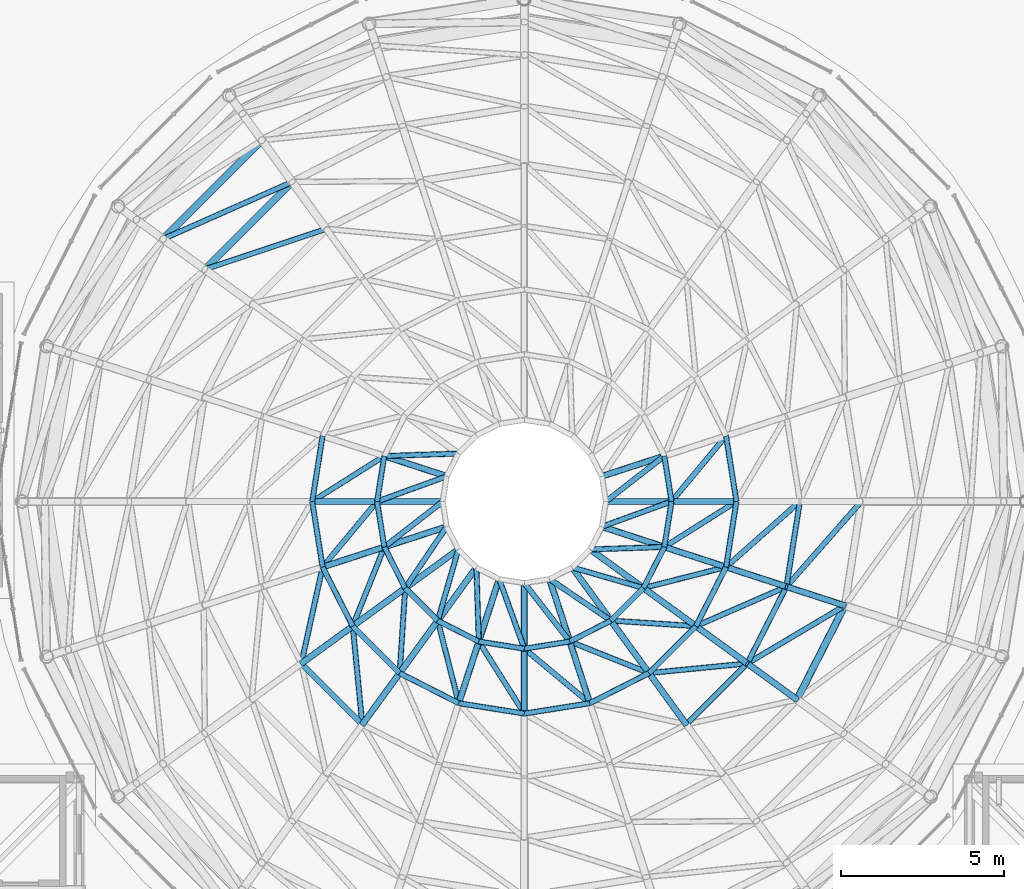
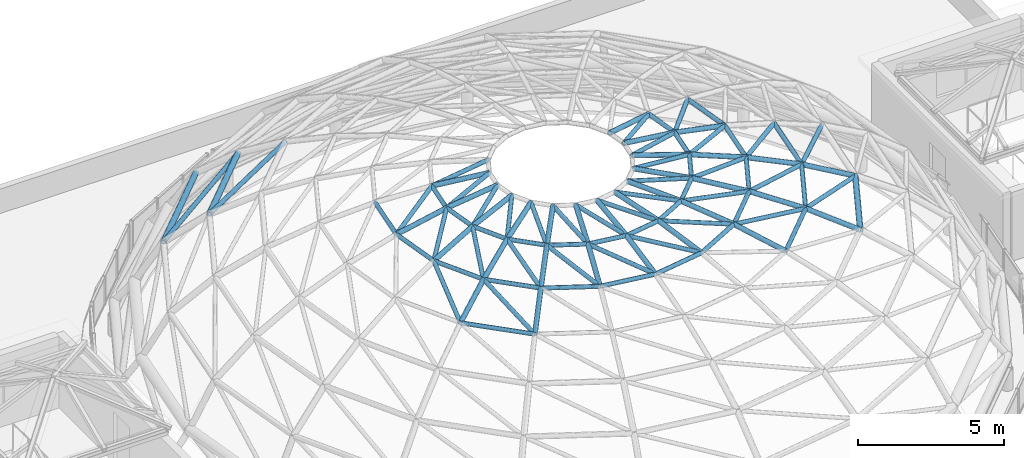
# One storey, part 25 of 69: 96 members.
"""IFC4 building model written with IfcOpenShell, lengths in metres."""

import ifcopenshell
import ifcopenshell.guid

model = None  # the IFC model being written
_history = None  # IfcOwnerHistory: only IFC2X3 demands one
_inside = {}  # id of a spatial element -> (the spatial element, [elements in it])
_under = {}  # id of a project, library or spatial element -> (it, [spatial elements below it])
_declared = {}  # id of a project -> (the project, [libraries it declares])
_typed = {}  # id of a type object -> (the type object, [elements of that type])
_made_of = {}  # id of a material, layer set ... -> (it, [elements and type objects made of it])


def new_model(schema):
    """Start an empty IFC model of exactly this schema.

    Asked for "IFC4X3", IfcOpenShell would pick the latest addendum, in which some entities
    have other attributes; the version numbers below select the first issue.
    IFC2X3 requires an IfcOwnerHistory on every rooted entity: one is made here for all.
    """
    global model, _history
    if schema == "IFC4X3":
        model = ifcopenshell.file(schema_version=(4, 3, 0, 0))
    else:
        model = ifcopenshell.file(schema=schema)
    _inside.clear()
    _under.clear()
    _declared.clear()
    _typed.clear()
    _made_of.clear()
    _history = None
    if model.schema == "IFC2X3":
        org = make("IfcOrganization", Name="unknown")
        user = make(
            "IfcPersonAndOrganization",
            ThePerson=make("IfcPerson", FamilyName="unknown"),
            TheOrganization=org,
        )
        app = make(
            "IfcApplication",
            ApplicationDeveloper=org,
            Version="unknown",
            ApplicationFullName="unknown",
            ApplicationIdentifier="unknown",
        )
        _history = make(
            "IfcOwnerHistory",
            OwningUser=user,
            OwningApplication=app,
            ChangeAction="ADDED",
            CreationDate=0,
        )
    return model


def make(cls, **values):
    """One entity of the class cls with the attributes given. An attribute that is None is left unset."""
    return model.create_entity(
        cls, **{name: value for name, value in values.items() if value is not None}
    )


def rooted(cls, **values):
    """An entity with a GlobalId (a new one), such as an element, a storey or a relation."""
    return make(cls, GlobalId=ifcopenshell.guid.new(), OwnerHistory=_history, **values)


def si_unit(unit_type, name, prefix=None):
    """IfcSIUnit, for example si_unit("LENGTHUNIT", "METRE", prefix="MILLI")."""
    return make("IfcSIUnit", UnitType=unit_type, Prefix=prefix, Name=name)


def assignment(units):
    """IfcUnitAssignment: the units of a project."""
    return None if units is None else make("IfcUnitAssignment", Units=units)


def point(xyz):
    """IfcCartesianPoint."""
    return None if xyz is None else make("IfcCartesianPoint", Coordinates=xyz)


def direction(xyz):
    """IfcDirection."""
    return None if xyz is None else make("IfcDirection", DirectionRatios=xyz)


def frame(location, z_axis=None, x_axis=None):
    """IfcAxis2Placement3D, a coordinate frame: its origin and axes. An axis left out is left unset."""
    return make(
        "IfcAxis2Placement3D",
        Location=point(location),
        Axis=direction(z_axis),
        RefDirection=direction(x_axis),
    )


def frame_2d(location, x_axis=None):
    """IfcAxis2Placement2D, a coordinate frame in the plane: its origin and x axis."""
    return make(
        "IfcAxis2Placement2D", Location=point(location), RefDirection=direction(x_axis)
    )


def origin():
    """The frame at (0, 0, 0) with its axes left unset."""
    return frame((0.0, 0.0, 0.0))


def origin_2d():
    """The frame at (0, 0) in the plane with its x axis left unset."""
    return frame_2d((0.0, 0.0))


def place(relative_to, where):
    """IfcLocalPlacement: puts the frame where relative to a parent placement (None: the world)."""
    return make(
        "IfcLocalPlacement", PlacementRelTo=relative_to, RelativePlacement=where
    )


def context(
    kind, dimensions, precision=None, world=None, true_north=None, identifier=None
):
    """IfcGeometricRepresentationContext, for example the 3D "Model" context."""
    return make(
        "IfcGeometricRepresentationContext",
        ContextIdentifier=identifier,
        ContextType=kind,
        CoordinateSpaceDimension=dimensions,
        Precision=precision,
        WorldCoordinateSystem=world,
        TrueNorth=true_north,
    )


def subcontext(parent, identifier, kind, view, scale=None):
    """IfcGeometricRepresentationSubContext, for example "Body" below "Model"."""
    return make(
        "IfcGeometricRepresentationSubContext",
        ContextIdentifier=identifier,
        ContextType=kind,
        ParentContext=parent,
        TargetScale=scale,
        TargetView=view,
    )


def project(units=None, contexts=None):
    """IfcProject with its units and contexts."""
    return rooted(
        "IfcProject",
        Name="project",
        RepresentationContexts=contexts,
        UnitsInContext=assignment(units),
    )


def spatial(cls, under=None, at=None, **own):
    """A site, building, storey or space (cls), placed at a placement, below another one or the project."""
    s = rooted(cls, ObjectPlacement=at, **own)
    if under is not None:
        _under.setdefault(under.id(), (under, []))[1].append(s)
    return s


def profile(cls, at=None, kind="AREA", **sizes):
    """A parametric profile (cls). Its sizes go by their IFC names, for example OverallWidth=200.0."""
    return make(cls, ProfileType=kind, Position=at, **sizes)


def hollow_circle(**sizes):
    """IfcCircleHollowProfileDef."""
    return profile("IfcCircleHollowProfileDef", **sizes)


def extrude(swept, where, along, depth):
    """IfcExtrudedAreaSolid: the profile swept, set in the frame where, extruded along a direction by depth."""
    return make(
        "IfcExtrudedAreaSolid",
        SweptArea=swept,
        Position=where,
        ExtrudedDirection=direction(along),
        Depth=depth,
    )


def shape(context_of_items, identifier, shape_type, items):
    """IfcShapeRepresentation: the items that make up one representation, for example the "Body"."""
    return make(
        "IfcShapeRepresentation",
        ContextOfItems=context_of_items,
        RepresentationIdentifier=identifier,
        RepresentationType=shape_type,
        Items=items,
    )


def material(Name=None, Category=None):
    """IfcMaterial."""
    return make("IfcMaterial", Name=Name, Category=Category)


def material_profile(
    of_material, cross_section, Name=None, Category=None, Priority=None
):
    """IfcMaterialProfile: a cross section and its material."""
    return make(
        "IfcMaterialProfile",
        Name=Name,
        Material=of_material,
        Profile=cross_section,
        Priority=Priority,
        Category=Category,
    )


def profile_set(profiles, Name=None, composite=None):
    """IfcMaterialProfileSet."""
    return make(
        "IfcMaterialProfileSet",
        Name=Name,
        MaterialProfiles=profiles,
        CompositeProfile=composite,
    )


def made_of(thing, what):
    """Note that an element or type object is made of a material, layer set ...; save() writes the relation."""
    if what is not None:
        _made_of.setdefault(what.id(), (what, []))[1].append(thing)
    return thing


def type_object(cls, material=None, **own):
    """A type object (cls), such as IfcWallType, which elements share."""
    return made_of(rooted(cls, **own), material)


def element(
    cls,
    number,
    at=None,
    inside=None,
    cuts=None,
    type_object=None,
    material=None,
    context=None,
    identifier="Body",
    shape_type=None,
    held_by="IfcProductDefinitionShape",
    body=None,
    shapes=None,
    **own,
):
    """One element of the class cls, such as IfcWall. Its Tag is "e" and its number.

    at: its placement. inside: the storey or other place that contains it. cuts: it is an
    opening in that element (IfcRelVoidsElement). A single representation is given by context,
    identifier, shape_type and body (its items); several are given by shapes. held_by: the class
    of the entity that holds the representations. save() writes the other relations.
    """
    e = rooted(cls, Tag="e%d" % number, ObjectPlacement=at, **own)
    if body is not None:
        shapes = [shape(context, identifier, shape_type, body)]
    if shapes is not None:
        e.Representation = make(held_by, Representations=shapes)
    if inside is not None:
        _inside.setdefault(inside.id(), (inside, []))[1].append(e)
    if cuts is not None:
        rooted(
            "IfcRelVoidsElement", RelatingBuildingElement=cuts, RelatedOpeningElement=e
        )
    if type_object is not None:
        _typed.setdefault(type_object.id(), (type_object, []))[1].append(e)
    return made_of(e, material)


def aggregate(whole, parts):
    """IfcRelAggregates: a whole, such as a stair, and the parts it consists of."""
    return rooted("IfcRelAggregates", RelatingObject=whole, RelatedObjects=parts)


def save(model, path):
    """Write the relations noted so far, then the file.

    IfcRelAggregates (storeys below a building ...), IfcRelContainedInSpatialStructure (elements
    in a storey), IfcRelDefinesByType, IfcRelAssociatesMaterial and IfcRelDeclares: one each for
    every whole, place, type object, material and project.
    """
    for whole, parts in _under.values():
        aggregate(whole, parts)
    for where, things in _inside.values():
        rooted(
            "IfcRelContainedInSpatialStructure",
            RelatedElements=things,
            RelatingStructure=where,
        )
    for kind, things in _typed.values():
        rooted("IfcRelDefinesByType", RelatedObjects=things, RelatingType=kind)
    for what, things in _made_of.values():
        rooted("IfcRelAssociatesMaterial", RelatedObjects=things, RelatingMaterial=what)
    for by, libraries in _declared.values():
        rooted("IfcRelDeclares", RelatingContext=by, RelatedDefinitions=libraries)
    model.write(path)


model = new_model("IFC4")

# Units and contexts
model_context = context("Model", 3, precision=1e-05, world=origin(), true_north=direction((0.0, 1.0)))
body_context = subcontext(model_context, "Body", "Model", "MODEL_VIEW")
ifc_project = project(units=[si_unit("LENGTHUNIT", "METRE"), si_unit("AREAUNIT", "SQUARE_METRE"), si_unit("VOLUMEUNIT", "CUBIC_METRE"), si_unit("PLANEANGLEUNIT", "RADIAN"), si_unit("MASSUNIT", "GRAM", prefix="KILO")], contexts=[model_context])

# Site, building, storey
site_placement = place(None, origin())
site = spatial("IfcSite", under=ifc_project, at=site_placement, CompositionType="ELEMENT")
building_placement = place(site_placement, origin())
building = spatial("IfcBuilding", under=site, at=building_placement, Name="Kallimachos Central Library", CompositionType="ELEMENT")
storey_placement = place(building_placement, frame((0.0, 0.0, 23.39990234375)))
storey = spatial("IfcBuildingStorey", under=building, at=storey_placement, Name="L05", CompositionType="ELEMENT", Elevation=23.39990234375)

# Members
ifc_material_1 = material(Name="Steel S355J2H", Category="steel")
ifc_material_profile_1 = material_profile(ifc_material_1, hollow_circle(Radius=0.084228515625, WallThickness=0.008056640625, at=origin_2d()), Name="CHS 168.3x8")
ifc_profile_set_1 = profile_set([ifc_material_profile_1], Name="Steel S355J2H")
member_type_1 = type_object("IfcMemberType", Name="CHS 168.3x8 dome diagonal", PredefinedType="BRACE", material=ifc_profile_set_1)
for number, where, z_axis, x_axis, name in (
    (1, (90.5, 104.39990234375, 8.245849609375), (0.784427697726, 0.610157890663, -0.111267854755), (-0.613970368515, 0.789329073698, 0.0), "Dome diagonal DD-0-00"),
    (2, (85.9775390625, 105.869384765625, 8.245849609375), (-0.993257150384, -0.032567558683, -0.111263593926), (0.032771036339, -0.999462885343, 0.0), "Dome diagonal DD-0-08"),
    (3, (85.622314453125, 105.172607421875, 8.245849609375), (-0.934558069173, -0.337965755134, -0.111267082733), (0.34007745266, -0.940397429916, 0.0), "Dome diagonal DD-0-09"),
    (4, (85.5, 104.39990234375, 8.245849609375), (-0.784427697726, -0.610157890663, -0.111267854755), (0.613970368515, -0.789329073698, 0.0), "Dome diagonal DD-0-10"),
):
    element("IfcMember", number, at=place(storey_placement, frame(where, z_axis=z_axis, x_axis=x_axis)), inside=storey, type_object=member_type_1, Name=name, PredefinedType="BRACE", context=body_context, shape_type="SweptSolid", body=[
        extrude(hollow_circle(Radius=0.084228515625, WallThickness=0.008056640625, at=origin_2d()), origin(), (0.0, 0.0, 1.0), 2.286376953125),
    ])
for number, where, z_axis, x_axis, name in (
    (5, (85.622314453125, 103.62744140625, 8.245849609375), (-0.557449997984, -0.822719307369, -0.111276417222), (0.827860741226, -0.560933679803, 0.0), "Dome diagonal DD-0-11"),
    (6, (85.9775390625, 102.930419921875, 8.245849609375), (-0.276046075721, -0.95468159263, -0.11127273149), (0.960647301727, -0.277771059839, 0.0), "Dome diagonal DD-0-12"),
    (7, (86.530517578125, 102.37744140625, 8.245849609375), (0.032571013126, -0.993255715022, -0.111275395662), (0.999462769933, 0.032774555943, 0.0), "Dome diagonal DD-0-13"),
):
    element("IfcMember", number, at=place(storey_placement, frame(where, z_axis=z_axis, x_axis=x_axis)), inside=storey, type_object=member_type_1, Name=name, PredefinedType="BRACE", context=body_context, shape_type="SweptSolid", body=[
        extrude(hollow_circle(Radius=0.084228515625, WallThickness=0.008056640625, at=origin_2d()), origin(), (0.0, 0.0, 1.0), 2.2861328125),
    ])
member_1_placement = place(storey_placement, frame((87.2275390625, 102.0224609375, 8.245849609375), z_axis=(0.337871164542, -0.93459179269, -0.111271097804), x_axis=(0.940431789554, 0.339982424834, 0.0)))
element("IfcMember", 8, at=member_1_placement, inside=storey, type_object=member_type_1, Name="Dome diagonal DD-0-14", PredefinedType="BRACE", context=body_context, shape_type="SweptSolid", body=[
    extrude(hollow_circle(Radius=0.084228515625, WallThickness=0.008056640625, at=origin_2d()), origin(), (0.0, 0.0, 1.0), 2.286376953125),
])
member_2_placement = place(storey_placement, frame((88.0, 101.89990234375, 8.245849609375), z_axis=(0.610209002578, -0.784386616019, -0.111277175479), x_axis=(0.789288564164, 0.614022444606, 0.0)))
element("IfcMember", 9, at=member_2_placement, inside=storey, type_object=member_type_1, Name="Dome diagonal DD-0-15", PredefinedType="BRACE", context=body_context, shape_type="SweptSolid", body=[
    extrude(hollow_circle(Radius=0.084228515625, WallThickness=0.008056640625, at=origin_2d()), origin(), (0.0, 0.0, 1.0), 2.2861328125),
])
member_3_placement = place(storey_placement, frame((88.7724609375, 102.0224609375, 8.245849609375), z_axis=(0.822704839711, -0.557474622729, -0.111260018557), x_axis=(0.560957422053, 0.82784465369, 0.0)))
element("IfcMember", 10, at=member_3_placement, inside=storey, type_object=member_type_1, Name="Dome diagonal DD-0-16", PredefinedType="BRACE", context=body_context, shape_type="SweptSolid", body=[
    extrude(hollow_circle(Radius=0.084228515625, WallThickness=0.008056640625, at=origin_2d()), origin(), (0.0, 0.0, 1.0), 2.286376953125),
])
member_4_placement = place(storey_placement, frame((89.469482421875, 102.37744140625, 8.245849609375), z_axis=(0.954709730832, -0.275947421082, -0.111276011133), x_axis=(0.277671891321, 0.960675970747, 0.0)))
element("IfcMember", 11, at=member_4_placement, inside=storey, type_object=member_type_1, Name="Dome diagonal DD-0-17", PredefinedType="BRACE", context=body_context, shape_type="SweptSolid", body=[
    extrude(hollow_circle(Radius=0.084228515625, WallThickness=0.008056640625, at=origin_2d()), origin(), (0.0, 0.0, 1.0), 2.2861328125),
])
for number, where, z_axis, x_axis, name in (
    (12, (90.0224609375, 102.930419921875, 8.245849609375), (0.993257150384, 0.032567558683, -0.111263593926), (-0.032771036339, 0.999462885343, 0.0), "Dome diagonal DD-0-18"),
    (13, (90.377685546875, 103.62744140625, 8.245849609375), (0.93459179269, 0.337871164542, -0.111271097804), (-0.339982424834, 0.940431789554, 0.0), "Dome diagonal DD-0-19"),
):
    element("IfcMember", number, at=place(storey_placement, frame(where, z_axis=z_axis, x_axis=x_axis)), inside=storey, type_object=member_type_1, Name=name, PredefinedType="BRACE", context=body_context, shape_type="SweptSolid", body=[
        extrude(hollow_circle(Radius=0.084228515625, WallThickness=0.008056640625, at=origin_2d()), origin(), (0.0, 0.0, 1.0), 2.286376953125),
    ])
for number, where, z_axis, x_axis, name in (
    (14, (92.514404296875, 104.39990234375, 7.991455078125), (0.631515550193, 0.759812336918, -0.154509943149), (-0.769047650583, 0.63919145108, 0.0), "Dome diagonal DD-1-00"),
    (15, (83.70654296875, 105.794921875, 7.991455078125), (-0.835435772403, -0.527420174954, -0.154515466026), (0.533831291368, -0.845591007731, 0.0), "Dome diagonal DD-1-09"),
):
    element("IfcMember", number, at=place(storey_placement, frame(where, z_axis=z_axis, x_axis=x_axis)), inside=storey, type_object=member_type_1, Name=name, PredefinedType="BRACE", context=body_context, shape_type="SweptSolid", body=[
        extrude(hollow_circle(Radius=0.084228515625, WallThickness=0.008056640625, at=origin_2d()), origin(), (0.0, 0.0, 1.0), 2.64501953125),
    ])
for number, where, z_axis, x_axis, name in (
    (16, (83.485595703125, 104.39990234375, 7.991455078125), (-0.631559840703, -0.759773319033, -0.1545207795), (0.769009477555, -0.639237376434, 0.0), "Dome diagonal DD-1-10"),
    (17, (83.70654296875, 103.0048828125, 7.991455078125), (-0.365831129807, -0.917762576971, -0.154529727806), (0.928920642411, -0.370278868022, 0.0), "Dome diagonal DD-1-11"),
):
    element("IfcMember", number, at=place(storey_placement, frame(where, z_axis=z_axis, x_axis=x_axis)), inside=storey, type_object=member_type_1, Name=name, PredefinedType="BRACE", context=body_context, shape_type="SweptSolid", body=[
        extrude(hollow_circle(Radius=0.084228515625, WallThickness=0.008056640625, at=origin_2d()), origin(), (0.0, 0.0, 1.0), 2.644775390625),
    ])
member_5_placement = place(storey_placement, frame((84.347900390625, 101.74658203125, 7.991455078125), z_axis=(-0.064427439859, -0.985887514522, -0.154515092155), x_axis=(0.997871524197, -0.065210591133, 0.0)))
element("IfcMember", 18, at=member_5_placement, inside=storey, type_object=member_type_1, Name="Dome diagonal DD-1-12", PredefinedType="BRACE", context=body_context, shape_type="SweptSolid", body=[
    extrude(hollow_circle(Radius=0.084228515625, WallThickness=0.008056640625, at=origin_2d()), origin(), (0.0, 0.0, 1.0), 2.64501953125),
])
member_6_placement = place(storey_placement, frame((85.346435546875, 100.747802734375, 7.991455078125), z_axis=(0.243508379204, -0.957510393284, -0.154523512808), x_axis=(0.969150755166, 0.246468687181, 0.0)))
element("IfcMember", 19, at=member_6_placement, inside=storey, type_object=member_type_1, Name="Dome diagonal DD-1-13", PredefinedType="BRACE", context=body_context, shape_type="SweptSolid", body=[
    extrude(hollow_circle(Radius=0.084228515625, WallThickness=0.008056640625, at=origin_2d()), origin(), (0.0, 0.0, 1.0), 2.644775390625),
])
member_7_placement = place(storey_placement, frame((86.60498046875, 100.106689453125, 7.991455078125), z_axis=(0.527420174954, -0.835435772403, -0.154515466026), x_axis=(0.845591007731, 0.533831291368, 0.0)))
element("IfcMember", 20, at=member_7_placement, inside=storey, type_object=member_type_1, Name="Dome diagonal DD-1-14", PredefinedType="BRACE", context=body_context, shape_type="SweptSolid", body=[
    extrude(hollow_circle(Radius=0.084228515625, WallThickness=0.008056640625, at=origin_2d()), origin(), (0.0, 0.0, 1.0), 2.64501953125),
])
member_8_placement = place(storey_placement, frame((88.0, 99.8857421875, 7.991455078125), z_axis=(0.759773319033, -0.631559840703, -0.1545207795), x_axis=(0.639237376434, 0.769009477555, 0.0)))
element("IfcMember", 21, at=member_8_placement, inside=storey, type_object=member_type_1, Name="Dome diagonal DD-1-15", PredefinedType="BRACE", context=body_context, shape_type="SweptSolid", body=[
    extrude(hollow_circle(Radius=0.084228515625, WallThickness=0.008056640625, at=origin_2d()), origin(), (0.0, 0.0, 1.0), 2.644775390625),
])
member_9_placement = place(storey_placement, frame((89.39501953125, 100.106689453125, 7.991455078125), z_axis=(0.917746142901, -0.365880087545, -0.154511419412), x_axis=(0.370327347691, 0.928901316369, 0.0)))
element("IfcMember", 22, at=member_9_placement, inside=storey, type_object=member_type_1, Name="Dome diagonal DD-1-16", PredefinedType="BRACE", context=body_context, shape_type="SweptSolid", body=[
    extrude(hollow_circle(Radius=0.084228515625, WallThickness=0.008056640625, at=origin_2d()), origin(), (0.0, 0.0, 1.0), 2.64501953125),
])
member_10_placement = place(storey_placement, frame((90.653564453125, 100.747802734375, 7.991455078125), z_axis=(0.985890787124, -0.064341374403, -0.154530072813), x_axis=(0.065123633942, 0.997877203018, 0.0)))
element("IfcMember", 23, at=member_10_placement, inside=storey, type_object=member_type_1, Name="Dome diagonal DD-1-17", PredefinedType="BRACE", context=body_context, shape_type="SweptSolid", body=[
    extrude(hollow_circle(Radius=0.084228515625, WallThickness=0.008056640625, at=origin_2d()), origin(), (0.0, 0.0, 1.0), 2.644775390625),
])
for number, where, z_axis, x_axis, name in (
    (24, (91.652099609375, 101.74658203125, 7.991455078125), (0.957539585577, 0.243400027681, -0.154513328153), (-0.246358621257, 0.969178739827, 0.0), "Dome diagonal DD-1-18"),
    (25, (92.29345703125, 103.0048828125, 7.991455078125), (0.835435772403, 0.527420174954, -0.154515466026), (-0.533831291368, 0.845591007731, 0.0), "Dome diagonal DD-1-19"),
):
    element("IfcMember", number, at=place(storey_placement, frame(where, z_axis=z_axis, x_axis=x_axis)), inside=storey, type_object=member_type_1, Name=name, PredefinedType="BRACE", context=body_context, shape_type="SweptSolid", body=[
        extrude(hollow_circle(Radius=0.084228515625, WallThickness=0.008056640625, at=origin_2d()), origin(), (0.0, 0.0, 1.0), 2.64501953125),
    ])
for number, where, z_axis, x_axis, name in (
    (26, (81.815185546875, 102.390380859375, 7.582763671875), (-0.211412831923, -0.95947682019, -0.186303102542), (0.976574374254, -0.215180137446, 0.0), "Dome diagonal DD-2-11"),
    (27, (82.739013671875, 100.57763671875, 7.582763671875), (0.095369352301, -0.977852702789, -0.186302920774), (0.995277673982, 0.097068798661, 0.0), "Dome diagonal DD-2-12"),
    (28, (91.822509765625, 99.138916015625, 7.582763671875), (0.977845312865, 0.095447841393, -0.186301512828), (-0.097148660001, 0.995269881921, 0.0), "Dome diagonal DD-2-17"),
    (29, (93.260986328125, 100.57763671875, 7.582763671875), (0.900495188225, 0.392941914749, -0.1862929618), (-0.399943224702, 0.916539915669, 0.0), "Dome diagonal DD-2-18"),
    (30, (94.184814453125, 102.390380859375, 7.582763671875), (0.734992244668, 0.651979864841, -0.186302592894), (-0.663597861363, 0.748089485553, 0.0), "Dome diagonal DD-2-19"),
):
    element("IfcMember", number, at=place(storey_placement, frame(where, z_axis=z_axis, x_axis=x_axis)), inside=storey, type_object=member_type_1, Name=name, PredefinedType="BRACE", context=body_context, shape_type="SweptSolid", body=[
        extrude(hollow_circle(Radius=0.084228515625, WallThickness=0.008056640625, at=origin_2d()), origin(), (0.0, 0.0, 1.0), 3.082275390625),
    ])
for number, where, z_axis, x_axis, name in (
    (31, (94.83642578125, 99.43310546875, 7.008544921875), (0.840227957986, 0.498415898663, -0.213538218076), (-0.510183426883, 0.860065620133, 0.0), "Dome diagonal DD-3-18"),
    (32, (96.03662109375, 101.788818359375, 7.008544921875), (0.645095401995, 0.73365539391, -0.213545511103), (-0.750978118459, 0.660327089854, 0.0), "Dome diagonal DD-3-19"),
):
    element("IfcMember", number, at=place(storey_placement, frame(where, z_axis=z_axis, x_axis=x_axis)), inside=storey, type_object=member_type_1, Name=name, PredefinedType="BRACE", context=body_context, shape_type="SweptSolid", body=[
        extrude(hollow_circle(Radius=0.084228515625, WallThickness=0.008056640625, at=origin_2d()), origin(), (0.0, 0.0, 1.0), 3.55908203125),
    ])
member_11_placement = place(storey_placement, frame((81.9267578125, 112.75927734375, 6.24853515625), z_axis=(-0.920371959634, -0.306931465917, -0.242298434065), x_axis=(0.316358386812, -0.948639747793, 0.0)))
element("IfcMember", 33, at=member_11_placement, inside=storey, type_object=member_type_1, Name="Dome diagonal DD-4-07", PredefinedType="BRACE", context=body_context, shape_type="SweptSolid", body=[
    extrude(hollow_circle(Radius=0.084228515625, WallThickness=0.008056640625, at=origin_2d()), origin(), (0.0, 0.0, 1.0), 4.04541015625),
])
member_12_placement = place(storey_placement, frame((80.88232421875, 114.196533203125, 5.268310546875), z_axis=(-0.877540231367, -0.388146959444, -0.281540548069), x_axis=(0.404509644953, -0.914533732095, 0.0)))
element("IfcMember", 34, at=member_12_placement, inside=storey, type_object=member_type_1, Name="Dome diagonal DD-5-07", PredefinedType="BRACE", context=body_context, shape_type="SweptSolid", body=[
    extrude(hollow_circle(Radius=0.084228515625, WallThickness=0.008056640625, at=origin_2d()), origin(), (0.0, 0.0, 1.0), 4.50927734375),
])
ifc_material_2 = material(Name="Steel S355J2H", Category="steel")
ifc_material_profile_2 = material_profile(ifc_material_2, hollow_circle(Radius=0.084228515625, WallThickness=0.008056640625, at=origin_2d()), Name="CHS 168.3x8")
ifc_profile_set_2 = profile_set([ifc_material_profile_2], Name="Steel S355J2H")
member_type_2 = type_object("IfcMemberType", Name="CHS 168.3x8 dome ring", PredefinedType="PURLIN", material=ifc_profile_set_2)
for number, where, z_axis, x_axis, name in (
    (35, (92.514404296875, 104.39990234375, 7.991455078125), (-0.156432999357, 0.987688572735, 0.0), (-0.987688572735, -0.156432999357, 0.0), "Dome ring DN-1-00"),
    (36, (83.70654296875, 105.794921875, 7.991455078125), (-0.156432999357, -0.987688572735, 0.0), (0.987688572735, -0.156432999357, 0.0), "Dome ring DN-1-09"),
    (37, (83.485595703125, 104.39990234375, 7.991455078125), (0.156432999357, -0.987688572735, 0.0), (0.987688572735, 0.156432999357, 0.0), "Dome ring DN-1-10"),
    (38, (83.70654296875, 103.0048828125, 7.991455078125), (0.454114808062, -0.890943175011, 0.0), (0.890943175011, 0.454114808062, 0.0), "Dome ring DN-1-11"),
    (39, (84.347900390625, 101.74658203125, 7.991455078125), (0.707020343099, -0.707193208709, 0.0), (0.707193208709, 0.707020343099, 0.0), "Dome ring DN-1-12"),
    (40, (85.346435546875, 100.747802734375, 7.991455078125), (0.891048730396, -0.453907655872, 0.0), (0.453907655872, 0.891048730396, 0.0), "Dome ring DN-1-13"),
    (41, (86.60498046875, 100.106689453125, 7.991455078125), (0.987688572735, -0.156432999357, 0.0), (0.156432999357, 0.987688572735, 0.0), "Dome ring DN-1-14"),
    (42, (88.0, 99.8857421875, 7.991455078125), (0.987688572735, 0.156432999357, 0.0), (-0.156432999357, 0.987688572735, 0.0), "Dome ring DN-1-15"),
    (43, (89.39501953125, 100.106689453125, 7.991455078125), (0.891048730396, 0.453907655872, 0.0), (-0.453907655872, 0.891048730396, 0.0), "Dome ring DN-1-16"),
    (44, (90.653564453125, 100.747802734375, 7.991455078125), (0.707020343099, 0.707193208709, 0.0), (-0.707193208709, 0.707020343099, 0.0), "Dome ring DN-1-17"),
    (45, (91.652099609375, 101.74658203125, 7.991455078125), (0.454114808062, 0.890943175011, 0.0), (-0.890943175011, 0.454114808062, 0.0), "Dome ring DN-1-18"),
    (46, (92.29345703125, 103.0048828125, 7.991455078125), (0.156432999357, 0.987688572735, 0.0), (-0.987688572735, 0.156432999357, 0.0), "Dome ring DN-1-19"),
):
    element("IfcMember", number, at=place(storey_placement, frame(where, z_axis=z_axis, x_axis=x_axis)), inside=storey, type_object=member_type_2, Name=name, PredefinedType="PURLIN", context=body_context, shape_type="SweptSolid", body=[
        extrude(hollow_circle(Radius=0.084228515625, WallThickness=0.008056640625, at=origin_2d()), origin(), (0.0, 0.0, 1.0), 1.412353515625),
    ])
for number, where, z_axis, x_axis, name in (
    (47, (94.503173828125, 104.39990234375, 7.582763671875), (-0.156455449685, 0.987685016725, 0.0), (-0.987685016725, -0.156455449685, 0.0), "Dome ring DN-2-00"),
    (48, (81.815185546875, 106.40966796875, 7.582763671875), (-0.156455449685, -0.987685016725, 0.0), (0.987685016725, -0.156455449685, 0.0), "Dome ring DN-2-09"),
):
    element("IfcMember", number, at=place(storey_placement, frame(where, z_axis=z_axis, x_axis=x_axis)), inside=storey, type_object=member_type_2, Name=name, PredefinedType="PURLIN", context=body_context, shape_type="SweptSolid", body=[
        extrude(hollow_circle(Radius=0.084228515625, WallThickness=0.008056640625, at=origin_2d()), origin(), (0.0, 0.0, 1.0), 2.034912109375),
    ])
for number, where, z_axis, x_axis, name in (
    (49, (81.496826171875, 104.39990234375, 7.582763671875), (0.15647399239, -0.987682079267, 0.0), (0.987682079267, 0.15647399239, 0.0), "Dome ring DN-2-10"),
    (50, (81.815185546875, 102.390380859375, 7.582763671875), (0.454064188307, -0.890968974149, 0.0), (0.890968974149, 0.454064188307, 0.0), "Dome ring DN-2-11"),
):
    element("IfcMember", number, at=place(storey_placement, frame(where, z_axis=z_axis, x_axis=x_axis)), inside=storey, type_object=member_type_2, Name=name, PredefinedType="PURLIN", context=body_context, shape_type="SweptSolid", body=[
        extrude(hollow_circle(Radius=0.084228515625, WallThickness=0.008056640625, at=origin_2d()), origin(), (0.0, 0.0, 1.0), 2.03466796875),
    ])
member_13_placement = place(storey_placement, frame((82.739013671875, 100.57763671875, 7.582763671875), z_axis=(0.707046778066, -0.707166779216, 0.0), x_axis=(0.707166779216, 0.707046778066, 0.0)))
element("IfcMember", 51, at=member_13_placement, inside=storey, type_object=member_type_2, Name="Dome ring DN-2-12", PredefinedType="PURLIN", context=body_context, shape_type="SweptSolid", body=[
    extrude(hollow_circle(Radius=0.084228515625, WallThickness=0.008056640625, at=origin_2d()), origin(), (0.0, 0.0, 1.0), 2.034423828125),
])
for number, where, z_axis, x_axis, name in (
    (52, (84.177490234375, 99.138916015625, 7.582763671875), (0.891042243918, -0.453920389004, 0.0), (0.453920389004, 0.891042243918, 0.0), "Dome ring DN-2-13"),
    (53, (85.990478515625, 98.21533203125, 7.582763671875), (0.987682079267, -0.15647399239, 0.0), (0.15647399239, 0.987682079267, 0.0), "Dome ring DN-2-14"),
    (54, (88.0, 97.89697265625, 7.582763671875), (0.987682079267, 0.15647399239, 0.0), (-0.15647399239, 0.987682079267, 0.0), "Dome ring DN-2-15"),
    (55, (90.009521484375, 98.21533203125, 7.582763671875), (0.891042243918, 0.453920389004, 0.0), (-0.453920389004, 0.891042243918, 0.0), "Dome ring DN-2-16"),
):
    element("IfcMember", number, at=place(storey_placement, frame(where, z_axis=z_axis, x_axis=x_axis)), inside=storey, type_object=member_type_2, Name=name, PredefinedType="PURLIN", context=body_context, shape_type="SweptSolid", body=[
        extrude(hollow_circle(Radius=0.084228515625, WallThickness=0.008056640625, at=origin_2d()), origin(), (0.0, 0.0, 1.0), 2.03466796875),
    ])
member_14_placement = place(storey_placement, frame((91.822509765625, 99.138916015625, 7.582763671875), z_axis=(0.707046778066, 0.707166779216, 0.0), x_axis=(-0.707166779216, 0.707046778066, 0.0)))
element("IfcMember", 56, at=member_14_placement, inside=storey, type_object=member_type_2, Name="Dome ring DN-2-17", PredefinedType="PURLIN", context=body_context, shape_type="SweptSolid", body=[
    extrude(hollow_circle(Radius=0.084228515625, WallThickness=0.008056640625, at=origin_2d()), origin(), (0.0, 0.0, 1.0), 2.034423828125),
])
for number, where, z_axis, x_axis, name in (
    (57, (93.260986328125, 100.57763671875, 7.582763671875), (0.454064188307, 0.890968974149, 0.0), (-0.890968974149, 0.454064188307, 0.0), "Dome ring DN-2-18"),
    (58, (94.184814453125, 102.390380859375, 7.582763671875), (0.15647399239, 0.987682079267, 0.0), (-0.987682079267, 0.15647399239, 0.0), "Dome ring DN-2-19"),
):
    element("IfcMember", number, at=place(storey_placement, frame(where, z_axis=z_axis, x_axis=x_axis)), inside=storey, type_object=member_type_2, Name=name, PredefinedType="PURLIN", context=body_context, shape_type="SweptSolid", body=[
        extrude(hollow_circle(Radius=0.084228515625, WallThickness=0.008056640625, at=origin_2d()), origin(), (0.0, 0.0, 1.0), 2.03466796875),
    ])
for number, where, z_axis, x_axis, name in (
    (59, (81.16357421875, 99.43310546875, 7.008544921875), (0.707106781187, -0.707106781187, 0.0), (0.707106781187, 0.707106781187, 0.0), "Dome ring DN-3-12"),
    (60, (92.967041015625, 97.563720703125, 7.008544921875), (0.707106781187, 0.707106781187, 0.0), (-0.707106781187, 0.707106781187, 0.0), "Dome ring DN-3-17"),
    (61, (94.83642578125, 99.43310546875, 7.008544921875), (0.453960364192, 0.891021878375, 0.0), (-0.891021878375, 0.453960364192, 0.0), "Dome ring DN-3-18"),
):
    element("IfcMember", number, at=place(storey_placement, frame(where, z_axis=z_axis, x_axis=x_axis)), inside=storey, type_object=member_type_2, Name=name, PredefinedType="PURLIN", context=body_context, shape_type="SweptSolid", body=[
        extrude(hollow_circle(Radius=0.084228515625, WallThickness=0.008056640625, at=origin_2d()), origin(), (0.0, 0.0, 1.0), 2.643798828125),
    ])
member_15_placement = place(storey_placement, frame((96.03662109375, 101.788818359375, 7.008544921875), z_axis=(0.15644152909, 0.987687221734, 0.0), x_axis=(-0.987687221734, 0.15644152909, 0.0)))
element("IfcMember", 62, at=member_15_placement, inside=storey, type_object=member_type_2, Name="Dome ring DN-3-19", PredefinedType="PURLIN", context=body_context, shape_type="SweptSolid", body=[
    extrude(hollow_circle(Radius=0.084228515625, WallThickness=0.008056640625, at=origin_2d()), origin(), (0.0, 0.0, 1.0), 2.6435546875),
])
ifc_material_3 = material(Name="Steel S355J2H", Category="steel")
ifc_material_profile_3 = material_profile(ifc_material_3, hollow_circle(Radius=0.096923828125, WallThickness=0.010009765625, at=origin_2d()), Name="CHS 193.7x10")
ifc_profile_set_3 = profile_set([ifc_material_profile_3], Name="Steel S355J2H")
member_type_3 = type_object("IfcMemberType", Name="CHS 193.7x10 dome rib", PredefinedType="RAFTER", material=ifc_profile_set_3)
member_16_placement = place(storey_placement, frame((90.5, 104.39990234375, 8.245849609375), z_axis=(0.992119839345, 0.0, -0.125292555157), x_axis=(0.0, 1.0, 0.0)))
element("IfcMember", 63, at=member_16_placement, inside=storey, type_object=member_type_3, Name="Dome rib DR-0-00", PredefinedType="RAFTER", context=body_context, shape_type="SweptSolid", body=[
    extrude(hollow_circle(Radius=0.096923828125, WallThickness=0.010009765625, at=origin_2d()), origin(), (0.0, 0.0, 1.0), 2.030517578125),
])
for number, where, z_axis, x_axis, name in (
    (64, (90.377685546875, 105.172607421875, 8.245849609375), (0.943584151163, 0.306511533238, -0.125298163058), (-0.308946298507, 0.95107948387, 0.0), "Dome rib DR-0-01"),
    (65, (85.622314453125, 105.172607421875, 8.245849609375), (-0.943584151163, 0.306511533238, -0.125298163058), (-0.308946298507, -0.95107948387, 0.0), "Dome rib DR-0-09"),
):
    element("IfcMember", number, at=place(storey_placement, frame(where, z_axis=z_axis, x_axis=x_axis)), inside=storey, type_object=member_type_3, Name=name, PredefinedType="RAFTER", context=body_context, shape_type="SweptSolid", body=[
        extrude(hollow_circle(Radius=0.096923828125, WallThickness=0.010009765625, at=origin_2d()), origin(), (0.0, 0.0, 1.0), 2.0302734375),
    ])
member_17_placement = place(storey_placement, frame((85.5, 104.39990234375, 8.245849609375), z_axis=(-0.992119839345, 0.0, -0.125292555157), x_axis=(0.0, -1.0, 0.0)))
element("IfcMember", 66, at=member_17_placement, inside=storey, type_object=member_type_3, Name="Dome rib DR-0-10", PredefinedType="RAFTER", context=body_context, shape_type="SweptSolid", body=[
    extrude(hollow_circle(Radius=0.096923828125, WallThickness=0.010009765625, at=origin_2d()), origin(), (0.0, 0.0, 1.0), 2.030517578125),
])
for number, where, z_axis, x_axis, name in (
    (67, (85.622314453125, 103.62744140625, 8.245849609375), (-0.943549368278, -0.306620477776, -0.125293544252), (0.309055926734, -0.951043865524, 0.0), "Dome rib DR-0-11"),
    (68, (85.9775390625, 102.930419921875, 8.245849609375), (-0.802679221205, -0.583099856722, -0.125302134606), (0.587731990274, -0.809055688818, 0.0), "Dome rib DR-0-12"),
    (69, (86.530517578125, 102.37744140625, 8.245849609375), (-0.583179213756, -0.80262293852, -0.125293348605), (0.808998054221, -0.587811320295, 0.0), "Dome rib DR-0-13"),
    (70, (87.2275390625, 102.0224609375, 8.245849609375), (-0.306620477776, -0.943549368278, -0.125293544252), (0.951043865524, -0.309055926734, 0.0), "Dome rib DR-0-14"),
    (71, (88.0, 101.89990234375, 8.245849609375), (0.0, -0.992117951416, -0.125307503682), (1.0, 0.0, 0.0), "Dome rib DR-0-15"),
    (72, (88.7724609375, 102.0224609375, 8.245849609375), (0.306620477776, -0.943549368278, -0.125293544252), (0.951043865524, 0.309055926734, 0.0), "Dome rib DR-0-16"),
    (73, (89.469482421875, 102.37744140625, 8.245849609375), (0.583179213756, -0.80262293852, -0.125293348605), (0.808998054221, 0.587811320295, 0.0), "Dome rib DR-0-17"),
    (74, (90.0224609375, 102.930419921875, 8.245849609375), (0.802679221205, -0.583099856722, -0.125302134606), (0.587731990274, 0.809055688818, 0.0), "Dome rib DR-0-18"),
    (75, (90.377685546875, 103.62744140625, 8.245849609375), (0.943549368278, -0.306620477776, -0.125293544252), (0.309055926734, 0.951043865524, 0.0), "Dome rib DR-0-19"),
    (76, (92.514404296875, 104.39990234375, 7.991455078125), (0.979531021361, 0.0, -0.201293264149), (0.0, 1.0, 0.0), "Dome rib DR-1-00"),
    (77, (83.485595703125, 104.39990234375, 7.991455078125), (-0.979531021361, 0.0, -0.201293264149), (0.0, -1.0, 0.0), "Dome rib DR-1-10"),
    (78, (83.70654296875, 103.0048828125, 7.991455078125), (-0.931593052025, -0.302674546527, -0.201302022601), (0.309000017453, -0.951062032264, 0.0), "Dome rib DR-1-11"),
    (79, (84.347900390625, 101.74658203125, 7.991455078125), (-0.792451363445, -0.575759807006, -0.201299481397), (0.58779206115, -0.809012047406, 0.0), "Dome rib DR-1-12"),
    (80, (85.346435546875, 100.747802734375, 7.991455078125), (-0.575759807006, -0.792451363445, -0.201299481397), (0.809012047406, -0.58779206115, 0.0), "Dome rib DR-1-13"),
    (81, (86.60498046875, 100.106689453125, 7.991455078125), (-0.302674546527, -0.931593052025, -0.201302022601), (0.951062032264, -0.309000017453, 0.0), "Dome rib DR-1-14"),
    (82, (88.0, 99.8857421875, 7.991455078125), (0.0, -0.979531021361, -0.201293264149), (1.0, 0.0, 0.0), "Dome rib DR-1-15"),
    (83, (89.39501953125, 100.106689453125, 7.991455078125), (0.302674546527, -0.931593052025, -0.201302022601), (0.951062032264, 0.309000017453, 0.0), "Dome rib DR-1-16"),
    (84, (90.653564453125, 100.747802734375, 7.991455078125), (0.575759807006, -0.792451363445, -0.201299481397), (0.809012047406, 0.58779206115, 0.0), "Dome rib DR-1-17"),
    (85, (91.652099609375, 101.74658203125, 7.991455078125), (0.792451363445, -0.575759807006, -0.201299481397), (0.58779206115, 0.809012047406, 0.0), "Dome rib DR-1-18"),
    (86, (92.29345703125, 103.0048828125, 7.991455078125), (0.931593052025, -0.302674546527, -0.201302022601), (0.309000017453, 0.951062032264, 0.0), "Dome rib DR-1-19"),
    (87, (82.739013671875, 100.57763671875, 7.582763671875), (-0.776004317907, -0.563754570331, -0.282839323682), (0.58775415718, -0.809039585384, 0.0), "Dome rib DR-2-12"),
):
    element("IfcMember", number, at=place(storey_placement, frame(where, z_axis=z_axis, x_axis=x_axis)), inside=storey, type_object=member_type_3, Name=name, PredefinedType="RAFTER", context=body_context, shape_type="SweptSolid", body=[
        extrude(hollow_circle(Radius=0.096923828125, WallThickness=0.010009765625, at=origin_2d()), origin(), (0.0, 0.0, 1.0), 2.0302734375),
    ])
for number, where, z_axis, x_axis, name in (
    (88, (84.177490234375, 99.138916015625, 7.582763671875), (-0.563807182212, -0.775956471764, -0.282865719403), (0.808996267662, -0.587813779107, 0.0), "Dome rib DR-2-13"),
    (89, (91.822509765625, 99.138916015625, 7.582763671875), (0.563807182212, -0.775956471764, -0.282865719403), (0.808996267662, 0.587813779107, 0.0), "Dome rib DR-2-17"),
):
    element("IfcMember", number, at=place(storey_placement, frame(where, z_axis=z_axis, x_axis=x_axis)), inside=storey, type_object=member_type_3, Name=name, PredefinedType="RAFTER", context=body_context, shape_type="SweptSolid", body=[
        extrude(hollow_circle(Radius=0.096923828125, WallThickness=0.010009765625, at=origin_2d()), origin(), (0.0, 0.0, 1.0), 2.030029296875),
    ])
member_18_placement = place(storey_placement, frame((93.260986328125, 100.57763671875, 7.582763671875), z_axis=(0.776004317907, -0.563754570331, -0.282839323682), x_axis=(0.58775415718, 0.809039585384, 0.0)))
element("IfcMember", 90, at=member_18_placement, inside=storey, type_object=member_type_3, Name="Dome rib DR-2-18", PredefinedType="RAFTER", context=body_context, shape_type="SweptSolid", body=[
    extrude(hollow_circle(Radius=0.096923828125, WallThickness=0.010009765625, at=origin_2d()), origin(), (0.0, 0.0, 1.0), 2.0302734375),
])
member_19_placement = place(storey_placement, frame((94.184814453125, 102.390380859375, 7.582763671875), z_axis=(0.912231924273, -0.296340074016, -0.282870070651), x_axis=(0.308958483241, 0.951075525725, 0.0)))
element("IfcMember", 91, at=member_19_placement, inside=storey, type_object=member_type_3, Name="Dome rib DR-2-19", PredefinedType="RAFTER", context=body_context, shape_type="SweptSolid", body=[
    extrude(hollow_circle(Radius=0.096923828125, WallThickness=0.010009765625, at=origin_2d()), origin(), (0.0, 0.0, 1.0), 2.030029296875),
])
member_20_placement = place(storey_placement, frame((94.83642578125, 99.43310546875, 7.008544921875), z_axis=(0.750140450546, -0.545075600749, -0.374408725757), x_axis=(0.587832304237, 0.808982807045, 0.0)))
element("IfcMember", 92, at=member_20_placement, inside=storey, type_object=member_type_3, Name="Dome rib DR-3-18", PredefinedType="RAFTER", context=body_context, shape_type="SweptSolid", body=[
    extrude(hollow_circle(Radius=0.096923828125, WallThickness=0.010009765625, at=origin_2d()), origin(), (0.0, 0.0, 1.0), 2.02978515625),
])
member_21_placement = place(storey_placement, frame((96.03662109375, 101.788818359375, 7.008544921875), z_axis=(0.881880269853, -0.286584028782, -0.374375191607), x_axis=(0.309059678962, 0.951042646173, 0.0)))
element("IfcMember", 93, at=member_21_placement, inside=storey, type_object=member_type_3, Name="Dome rib DR-3-19", PredefinedType="RAFTER", context=body_context, shape_type="SweptSolid", body=[
    extrude(hollow_circle(Radius=0.096923828125, WallThickness=0.010009765625, at=origin_2d()), origin(), (0.0, 0.0, 1.0), 2.030029296875),
])
ifc_material_4 = material(Name="Steel S355J2H", Category="steel")
ifc_material_profile_4 = material_profile(ifc_material_4, hollow_circle(Radius=0.109619140625, WallThickness=0.012451171875, at=origin_2d()), Name="CHS 219.1x12.5")
ifc_profile_set_4 = profile_set([ifc_material_profile_4], Name="Steel S355J2H")
member_type_4 = type_object("IfcMemberType", Name="CHS 219.1x12.5 dome ring", PredefinedType="PURLIN", material=ifc_profile_set_4)
member_22_placement = place(storey_placement, frame((96.359130859375, 98.32666015625, 6.24853515625), z_axis=(0.454027596284, 0.890987621582, 0.0), x_axis=(-0.890987621582, 0.454027596284, 0.0)))
element("IfcMember", 94, at=member_22_placement, inside=storey, type_object=member_type_4, Name="Dome ring DN-4-18", PredefinedType="PURLIN", context=body_context, shape_type="SweptSolid", body=[
    extrude(hollow_circle(Radius=0.109619140625, WallThickness=0.012451171875, at=origin_2d()), origin(), (0.0, 0.0, 1.0), 3.232666015625),
])
member_23_placement = place(storey_placement, frame((80.88232421875, 114.196533203125, 5.268310546875), z_axis=(-0.707106781187, -0.707106781187, 0.0), x_axis=(0.707106781187, -0.707106781187, 0.0)))
element("IfcMember", 95, at=member_23_placement, inside=storey, type_object=member_type_4, Name="Dome ring DN-5-07", PredefinedType="PURLIN", context=body_context, shape_type="SweptSolid", body=[
    extrude(hollow_circle(Radius=0.109619140625, WallThickness=0.012451171875, at=origin_2d()), origin(), (0.0, 0.0, 1.0), 3.78857421875),
])
member_24_placement = place(storey_placement, frame((79.95361328125, 115.474853515625, 3.998779296875), z_axis=(-0.707078278585, -0.707135282639, 0.0), x_axis=(0.707135282639, -0.707078278585, 0.0)))
element("IfcMember", 96, at=member_24_placement, inside=storey, type_object=member_type_4, Name="Dome ring DN-6-07", PredefinedType="PURLIN", context=body_context, shape_type="SweptSolid", body=[
    extrude(hollow_circle(Radius=0.109619140625, WallThickness=0.012451171875, at=origin_2d()), origin(), (0.0, 0.0, 1.0), 4.282958984375),
])

save(model, "model.ifc")
